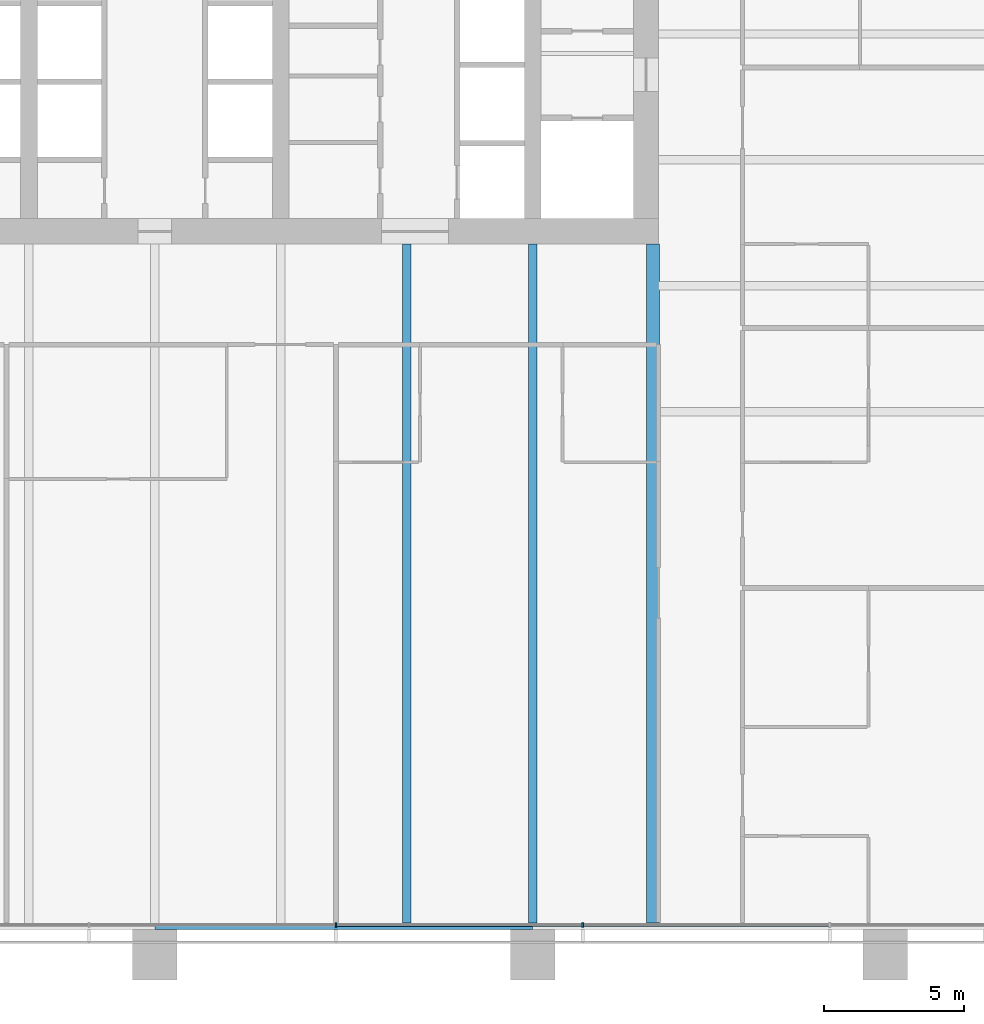
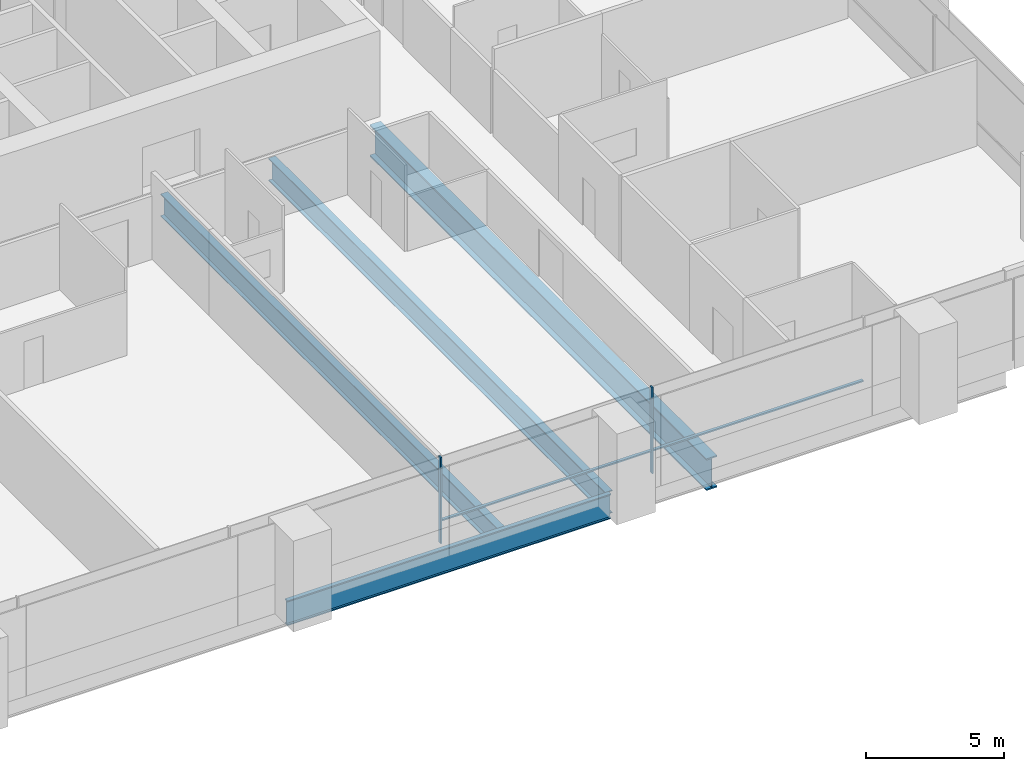
# One storey, part 5 of 19: 4 beams, 4 members, 1 element without a shape of its own.
"""IFC4 building model written with IfcOpenShell, lengths in metres."""

from ifc_helpers import new_model, si_unit, direction, frame, origin, origin_2d, place, context, subcontext, project, spatial, rectangle, i_section, extrude, material, material_profile, profile_set, type_object, element, aggregate, save


model = new_model("IFC4")

# Units and contexts
model_context = context("Model", 3, precision=1e-05, world=origin(), true_north=direction((0.0, 1.0)))
body_context = subcontext(model_context, "Body", "Model", "MODEL_VIEW")
ifc_project = project(units=[si_unit("LENGTHUNIT", "METRE"), si_unit("AREAUNIT", "SQUARE_METRE"), si_unit("VOLUMEUNIT", "CUBIC_METRE"), si_unit("PLANEANGLEUNIT", "RADIAN"), si_unit("MASSUNIT", "GRAM", prefix="KILO")], contexts=[model_context])

# Site, building, storey
site_placement = place(None, origin())
site = spatial("IfcSite", under=ifc_project, at=site_placement, CompositionType="ELEMENT")
building_placement = place(site_placement, origin())
building = spatial("IfcBuilding", under=site, at=building_placement, Name="Rattan Terrace Tower", CompositionType="ELEMENT")
storey_placement = place(building_placement, frame((0.0, 0.0, 111.699951171875)))
storey = spatial("IfcBuildingStorey", under=building, at=storey_placement, Name="L25", CompositionType="ELEMENT", Elevation=111.699951171875)

# Curtain wall, members
ifc_material_1 = material(Name="Aluminium and glass", Category="aluminium")
curtain_wall_type = type_object("IfcCurtainWallType", Name="Facade Unitised Curtain Wall", PredefinedType="NOTDEFINED", material=ifc_material_1)
curtain_wall_placement = place(storey_placement, origin())
curtain_wall = element("IfcCurtainWall", 1, at=curtain_wall_placement, inside=storey, type_object=curtain_wall_type, Name="Curtain wall L25-4", PredefinedType="NOTDEFINED")
ifc_material_2 = material(Name="Aluminium", Category="aluminium")
ifc_material_profile_1 = material_profile(ifc_material_2, rectangle(XDim=0.06005859375, YDim=0.159912109375, at=origin_2d()), Name="Aluminium 60x160")
ifc_profile_set_1 = profile_set([ifc_material_profile_1], Name="Aluminium")
member_type_1 = type_object("IfcMemberType", Name="Facade CW Mullion 60x160", PredefinedType="MULLION", material=ifc_profile_set_1)
member_1_placement = place(storey_placement, frame((6.468994140625, -31.830078125, 0.0), z_axis=(0.0, 0.0, 1.0), x_axis=(1.0, 0.0, 0.0)))
member_1 = element("IfcMember", 2, at=member_1_placement, type_object=member_type_1, Name="Mullion cwl-L25-004.4", PredefinedType="MULLION", context=body_context, shape_type="SweptSolid", body=[
    extrude(rectangle(XDim=0.06005859375, YDim=0.159912109375, at=origin_2d()), origin(), (0.0, 0.0, 1.0), 3.800048828125),
])
member_2_placement = place(storey_placement, frame((15.2919921875, -31.830078125, 0.0), z_axis=(0.0, 0.0, 1.0), x_axis=(1.0, 0.0, 0.0)))
member_2 = element("IfcMember", 3, at=member_2_placement, type_object=member_type_1, Name="Mullion cwl-L25-004.5", PredefinedType="MULLION", context=body_context, shape_type="SweptSolid", body=[
    extrude(rectangle(XDim=0.06005859375, YDim=0.159912109375, at=origin_2d()), origin(), (0.0, 0.0, 1.0), 3.800048828125),
])
ifc_material_3 = material(Name="Aluminium", Category="aluminium")
ifc_material_profile_2 = material_profile(ifc_material_3, rectangle(XDim=0.1201171875, YDim=0.06005859375, at=origin_2d()), Name="Aluminium 120x60")
ifc_profile_set_2 = profile_set([ifc_material_profile_2], Name="Aluminium")
member_type_2 = type_object("IfcMemberType", Name="Facade CW Transom 120x60", PredefinedType="USERDEFINED", material=ifc_profile_set_2)
member_3_placement = place(storey_placement, frame((6.4990234375, -31.830078125, 1.0), z_axis=(1.0, 0.0, 0.0), x_axis=(0.0, 1.0, 0.0)))
member_3 = element("IfcMember", 4, at=member_3_placement, type_object=member_type_2, Name="Transom cwl-L25-004.4", ObjectType="TRANSOM", PredefinedType="USERDEFINED", context=body_context, shape_type="SweptSolid", body=[
    extrude(rectangle(XDim=0.1201171875, YDim=0.06005859375, at=origin_2d()), origin(), (0.0, 0.0, 1.0), 8.762939453125),
])
member_4_placement = place(storey_placement, frame((15.322021484375, -31.830078125, 1.0), z_axis=(1.0, 0.0, 0.0), x_axis=(0.0, 1.0, 0.0)))
member_4 = element("IfcMember", 5, at=member_4_placement, type_object=member_type_2, Name="Transom cwl-L25-004.5", ObjectType="TRANSOM", PredefinedType="USERDEFINED", context=body_context, shape_type="SweptSolid", body=[
    extrude(rectangle(XDim=0.1201171875, YDim=0.06005859375, at=origin_2d()), origin(), (0.0, 0.0, 1.0), 8.762939453125),
])
aggregate(curtain_wall, [member_1, member_2, member_3, member_4])

# Beams
ifc_material_4 = material(Name="Steel S460", Category="steel")
ifc_material_profile_3 = material_profile(ifc_material_4, i_section(OverallWidth=0.449951171875, OverallDepth=1.39990234375, WebThickness=0.02197265625, FlangeThickness=0.054931640625, at=origin_2d()), Name="PG 1400x450-22-55")
ifc_profile_set_3 = profile_set([ifc_material_profile_3], Name="Steel S460")
beam_type_1 = type_object("IfcBeamType", Name="Frame core girder PG 1400x450-22-55", PredefinedType="BEAM", material=ifc_profile_set_3)
beam_1_placement = place(storey_placement, frame((17.800048828125, -31.820068359375, -0.89990234375), z_axis=(0.0, 1.0, 0.0), x_axis=(-1.0, 0.0, 0.0)))
element("IfcBeam", 6, at=beam_1_placement, inside=storey, type_object=beam_type_1, Name="gdr-L25-009", PredefinedType="BEAM", context=body_context, shape_type="SweptSolid", body=[
    extrude(i_section(OverallWidth=0.449951171875, OverallDepth=1.39990234375, WebThickness=0.02197265625, FlangeThickness=0.054931640625, at=origin_2d()), origin(), (0.0, 0.0, 1.0), 24.320068359375),
])
ifc_material_5 = material(Name="Steel S460", Category="steel")
ifc_material_profile_4 = material_profile(ifc_material_5, i_section(OverallWidth=0.179931640625, OverallDepth=1.10009765625, WebThickness=0.01611328125, FlangeThickness=0.050048828125, at=origin_2d()), Name="PG 1100x180-16-50")
ifc_profile_set_4 = profile_set([ifc_material_profile_4], Name="Steel S460")
beam_type_2 = type_object("IfcBeamType", Name="Frame edge girder PG 1100x180-16-50", PredefinedType="SPANDREL", material=ifc_profile_set_4)
beam_2_placement = place(storey_placement, frame((0.0, -31.909912109375, -0.75), z_axis=(1.0, 0.0, 0.0), x_axis=(0.0, 1.0, 0.0)))
element("IfcBeam", 7, at=beam_2_placement, inside=storey, type_object=beam_type_2, Name="gdr-L25-002", PredefinedType="SPANDREL", context=body_context, shape_type="SweptSolid", body=[
    extrude(i_section(OverallWidth=0.179931640625, OverallDepth=1.10009765625, WebThickness=0.01611328125, FlangeThickness=0.050048828125, at=origin_2d()), origin(), (0.0, 0.0, 1.0), 13.5),
])
ifc_material_6 = material(Name="Steel S460", Category="steel")
ifc_material_profile_5 = material_profile(ifc_material_6, i_section(OverallWidth=0.300048828125, OverallDepth=1.0, WebThickness=0.013916015625, FlangeThickness=0.0400390625, at=origin_2d()), Name="PG 1000x300-14-40")
ifc_profile_set_5 = profile_set([ifc_material_profile_5], Name="Steel S460")
beam_type_3 = type_object("IfcBeamType", Name="Frame floor beam PG 1000x300-14-40", PredefinedType="JOIST", material=ifc_profile_set_5)
for number, where, z_axis, x_axis, name in (
    (8, (9.0, -31.820068359375, -0.699951171875), (0.0, 1.0, 0.0), (-1.0, 0.0, 0.0), "bm-L25-008"),
    (9, (13.5, -31.820068359375, -0.699951171875), (0.0, 1.0, 0.0), (-1.0, 0.0, 0.0), "bm-L25-009"),
):
    element("IfcBeam", number, at=place(storey_placement, frame(where, z_axis=z_axis, x_axis=x_axis)), inside=storey, type_object=beam_type_3, Name=name, PredefinedType="JOIST", context=body_context, shape_type="SweptSolid", body=[
        extrude(i_section(OverallWidth=0.300048828125, OverallDepth=1.0, WebThickness=0.013916015625, FlangeThickness=0.0400390625, at=origin_2d()), origin(), (0.0, 0.0, 1.0), 24.320068359375),
    ])

save(model, "model.ifc")
